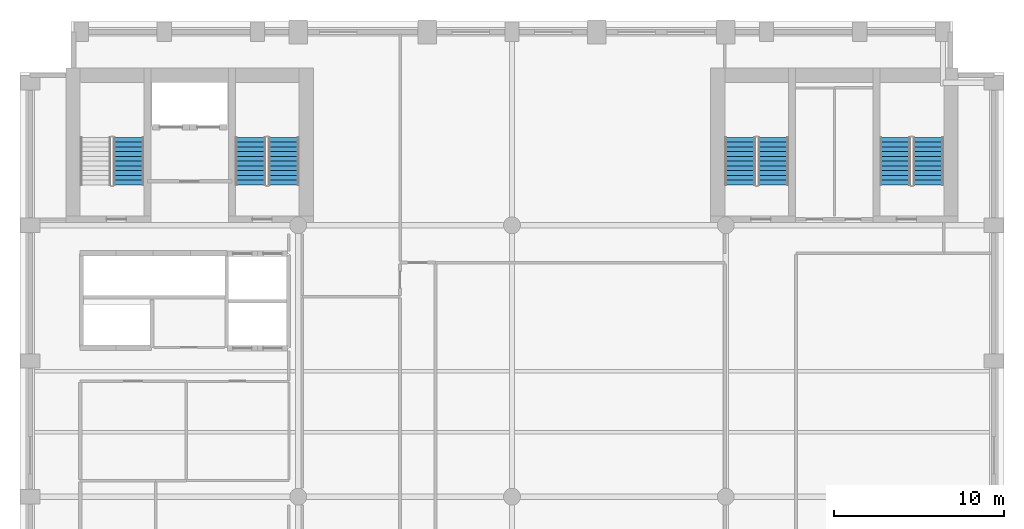
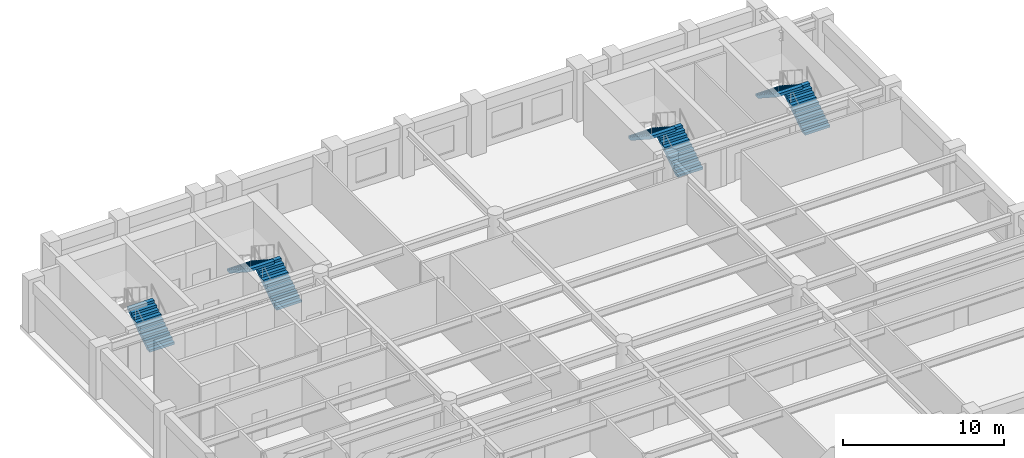
# One storey, part 6 of 8: 7 stair flights, 4 elements without a shape of their own.
"""IFC4 building model written with IfcOpenShell, lengths in metres."""

from ifc_helpers import new_model, si_unit, direction, frame, origin, place, context, subcontext, project, spatial, polyline, outline, extrude, material, type_object, element, aggregate, save


model = new_model("IFC4")

# Units and contexts
model_context = context("Model", 3, precision=1e-05, world=origin(), true_north=direction((0.0, 1.0)))
body_context = subcontext(model_context, "Body", "Model", "MODEL_VIEW")
ifc_project = project(units=[si_unit("LENGTHUNIT", "METRE"), si_unit("AREAUNIT", "SQUARE_METRE"), si_unit("VOLUMEUNIT", "CUBIC_METRE"), si_unit("PLANEANGLEUNIT", "RADIAN"), si_unit("MASSUNIT", "GRAM", prefix="KILO")], contexts=[model_context])

# Site, building, storey
site_placement = place(None, origin())
site = spatial("IfcSite", under=ifc_project, at=site_placement, CompositionType="ELEMENT")
building_placement = place(site_placement, origin())
building = spatial("IfcBuilding", under=site, at=building_placement, Name="Sulina Concourse Tower", CompositionType="ELEMENT")
storey_placement = place(building_placement, frame((0.0, 0.0, 140.60009765625)))
storey = spatial("IfcBuildingStorey", under=building, at=storey_placement, Name="L34", CompositionType="ELEMENT", Elevation=140.60009765625)

# Stair, stair flights
ifc_material_1 = material(Name="Concrete C50/60", Category="concrete")
stair_type_1 = type_object("IfcStairType", Name="Portal & Podium Core Exit Stair 1820mm", PredefinedType="HALF_TURN_STAIR", material=ifc_material_1)
stair_1_placement = place(storey_placement, origin())
stair_1 = element("IfcStair", 1, at=stair_1_placement, inside=storey, type_object=stair_type_1, Name="L34 ST-3", PredefinedType="HALF_TURN_STAIR")
ifc_material_2 = material(Name="Concrete C50/60", Category="concrete")
stair_flight_type_1 = type_object("IfcStairFlightType", Name="Portal & Podium Core Exit Stair 1820mm Flight", PredefinedType="STRAIGHT", material=ifc_material_2)
stair_flight_1_placement = place(storey_placement, frame((44.405029296875, 36.375, 0.0), z_axis=(0.0, 0.0, 1.0), x_axis=(0.0, 1.0, 0.0)))
stair_flight_1 = element("IfcStairFlight", 2, at=stair_flight_1_placement, type_object=stair_flight_type_1, Name="ST-3 flight 1", NumberOfRisers=11, NumberOfTreads=10, PredefinedType="STRAIGHT", RiserHeight=0.181818182, TreadLength=0.28, context=body_context, shape_type="SweptSolid", body=[
    extrude(outline(polyline([(0.0, 0.0), (0.0, 0.181884765625), (0.280029296875, 0.181884765625), (0.280029296875, 0.363525390625), (0.56005859375, 0.363525390625), (0.56005859375, 0.54541015625), (0.840087890625, 0.54541015625), (0.840087890625, 0.727294921875), (1.1201171875, 0.727294921875), (1.1201171875, 0.9091796875), (1.39990234375, 0.9091796875), (1.39990234375, 1.0908203125), (1.679931640625, 1.0908203125), (1.679931640625, 1.272705078125), (1.9599609375, 1.272705078125), (1.9599609375, 1.45458984375), (2.239990234375, 1.45458984375), (2.239990234375, 1.636474609375), (2.52001953125, 1.636474609375), (2.52001953125, 1.818115234375), (2.800048828125, 1.818115234375), (2.800048828125, 2.0), (2.800048828125, 1.603759765625), (0.330322265625, 0.0), (0.0, 0.0)])), frame((0.0, 0.89990234375, 0.0), z_axis=(0.0, -1.0, 0.0), x_axis=(1.0, 0.0, 0.0)), (0.0, 0.0, 1.0), 1.800048828125),
])
stair_flight_2_placement = place(storey_placement, frame((42.455078125, 39.175048828125, 2.0), z_axis=(0.0, 0.0, 1.0), x_axis=(0.0, -1.0, 0.0)))
stair_flight_2 = element("IfcStairFlight", 3, at=stair_flight_2_placement, type_object=stair_flight_type_1, Name="ST-3 flight 2", NumberOfRisers=11, NumberOfTreads=10, PredefinedType="STRAIGHT", RiserHeight=0.181818182, TreadLength=0.28, context=body_context, shape_type="SweptSolid", body=[
    extrude(outline(polyline([(0.0, 0.0), (0.0, 0.181884765625), (0.280029296875, 0.181884765625), (0.280029296875, 0.363525390625), (0.56005859375, 0.363525390625), (0.56005859375, 0.54541015625), (0.840087890625, 0.54541015625), (0.840087890625, 0.727294921875), (1.1201171875, 0.727294921875), (1.1201171875, 0.9091796875), (1.39990234375, 0.9091796875), (1.39990234375, 1.0908203125), (1.679931640625, 1.0908203125), (1.679931640625, 1.272705078125), (1.9599609375, 1.272705078125), (1.9599609375, 1.45458984375), (2.239990234375, 1.45458984375), (2.239990234375, 1.636474609375), (2.52001953125, 1.636474609375), (2.52001953125, 1.818115234375), (2.800048828125, 1.818115234375), (2.800048828125, 2.0), (2.800048828125, 1.603759765625), (0.330322265625, 0.0), (0.0, 0.0)])), frame((0.0, 0.89990234375, 0.0), z_axis=(0.0, -1.0, 0.0), x_axis=(1.0, 0.0, 0.0)), (0.0, 0.0, 1.0), 1.800048828125),
])
aggregate(stair_1, [stair_flight_1, stair_flight_2])

stair_2_placement = place(storey_placement, origin())
stair_2 = element("IfcStair", 4, at=stair_2_placement, inside=storey, type_object=stair_type_1, Name="L34 ST-4", PredefinedType="HALF_TURN_STAIR")
stair_flight_3_placement = place(storey_placement, frame((53.544921875, 36.375, 0.0), z_axis=(0.0, 0.0, 1.0), x_axis=(0.0, 1.0, 0.0)))
stair_flight_3 = element("IfcStairFlight", 5, at=stair_flight_3_placement, type_object=stair_flight_type_1, Name="ST-4 flight 1", NumberOfRisers=11, NumberOfTreads=10, PredefinedType="STRAIGHT", RiserHeight=0.181818182, TreadLength=0.28, context=body_context, shape_type="SweptSolid", body=[
    extrude(outline(polyline([(0.0, 0.0), (0.0, 0.181884765625), (0.280029296875, 0.181884765625), (0.280029296875, 0.363525390625), (0.56005859375, 0.363525390625), (0.56005859375, 0.54541015625), (0.840087890625, 0.54541015625), (0.840087890625, 0.727294921875), (1.1201171875, 0.727294921875), (1.1201171875, 0.9091796875), (1.39990234375, 0.9091796875), (1.39990234375, 1.0908203125), (1.679931640625, 1.0908203125), (1.679931640625, 1.272705078125), (1.9599609375, 1.272705078125), (1.9599609375, 1.45458984375), (2.239990234375, 1.45458984375), (2.239990234375, 1.636474609375), (2.52001953125, 1.636474609375), (2.52001953125, 1.818115234375), (2.800048828125, 1.818115234375), (2.800048828125, 2.0), (2.800048828125, 1.603759765625), (0.330322265625, 0.0), (0.0, 0.0)])), frame((0.0, 0.89990234375, 0.0), z_axis=(0.0, -1.0, 0.0), x_axis=(1.0, 0.0, 0.0)), (0.0, 0.0, 1.0), 1.800048828125),
])
stair_flight_4_placement = place(storey_placement, frame((51.594970703125, 39.175048828125, 2.0), z_axis=(0.0, 0.0, 1.0), x_axis=(0.0, -1.0, 0.0)))
stair_flight_4 = element("IfcStairFlight", 6, at=stair_flight_4_placement, type_object=stair_flight_type_1, Name="ST-4 flight 2", NumberOfRisers=11, NumberOfTreads=10, PredefinedType="STRAIGHT", RiserHeight=0.181818182, TreadLength=0.28, context=body_context, shape_type="SweptSolid", body=[
    extrude(outline(polyline([(0.0, 0.0), (0.0, 0.181884765625), (0.280029296875, 0.181884765625), (0.280029296875, 0.363525390625), (0.56005859375, 0.363525390625), (0.56005859375, 0.54541015625), (0.840087890625, 0.54541015625), (0.840087890625, 0.727294921875), (1.1201171875, 0.727294921875), (1.1201171875, 0.9091796875), (1.39990234375, 0.9091796875), (1.39990234375, 1.0908203125), (1.679931640625, 1.0908203125), (1.679931640625, 1.272705078125), (1.9599609375, 1.272705078125), (1.9599609375, 1.45458984375), (2.239990234375, 1.45458984375), (2.239990234375, 1.636474609375), (2.52001953125, 1.636474609375), (2.52001953125, 1.818115234375), (2.800048828125, 1.818115234375), (2.800048828125, 2.0), (2.800048828125, 1.603759765625), (0.330322265625, 0.0), (0.0, 0.0)])), frame((0.0, 0.89990234375, 0.0), z_axis=(0.0, -1.0, 0.0), x_axis=(1.0, 0.0, 0.0)), (0.0, 0.0, 1.0), 1.800048828125),
])
aggregate(stair_2, [stair_flight_3, stair_flight_4])

# Stair, stair flight
ifc_material_3 = material(Name="Concrete C50/60", Category="concrete")
stair_type_2 = type_object("IfcStairType", Name="Primary Core Dog-Leg Exit Stair 1800mm", PredefinedType="HALF_TURN_STAIR", material=ifc_material_3)
stair_3_placement = place(storey_placement, origin())
stair_3 = element("IfcStair", 7, at=stair_3_placement, inside=storey, type_object=stair_type_2, Name="L34 ST-1", PredefinedType="HALF_TURN_STAIR")
ifc_material_4 = material(Name="Concrete C50/60", Category="concrete")
stair_flight_type_2 = type_object("IfcStairFlightType", Name="Primary Core Dog-Leg Exit Stair 1800mm Flight", PredefinedType="STRAIGHT", material=ifc_material_4)
stair_flight_5_placement = place(storey_placement, frame((6.405029296875, 36.375, 0.0), z_axis=(0.0, 0.0, 1.0), x_axis=(0.0, 1.0, 0.0)))
stair_flight_5 = element("IfcStairFlight", 8, at=stair_flight_5_placement, type_object=stair_flight_type_2, Name="ST-1 flight 1", NumberOfRisers=11, NumberOfTreads=10, PredefinedType="STRAIGHT", RiserHeight=0.181818182, TreadLength=0.28, context=body_context, shape_type="SweptSolid", body=[
    extrude(outline(polyline([(0.0, 0.0), (0.0, 0.181884765625), (0.280029296875, 0.181884765625), (0.280029296875, 0.363525390625), (0.56005859375, 0.363525390625), (0.56005859375, 0.54541015625), (0.840087890625, 0.54541015625), (0.840087890625, 0.727294921875), (1.1201171875, 0.727294921875), (1.1201171875, 0.9091796875), (1.39990234375, 0.9091796875), (1.39990234375, 1.0908203125), (1.679931640625, 1.0908203125), (1.679931640625, 1.272705078125), (1.9599609375, 1.272705078125), (1.9599609375, 1.45458984375), (2.239990234375, 1.45458984375), (2.239990234375, 1.636474609375), (2.52001953125, 1.636474609375), (2.52001953125, 1.818115234375), (2.800048828125, 1.818115234375), (2.800048828125, 2.0), (2.800048828125, 1.603759765625), (0.330322265625, 0.0), (0.0, 0.0)])), frame((0.0, 0.89990234375, 0.0), z_axis=(0.0, -1.0, 0.0), x_axis=(1.0, 0.0, 0.0)), (0.0, 0.0, 1.0), 1.800048828125),
])
aggregate(stair_3, [stair_flight_5])

# Stair, stair flights
stair_4_placement = place(storey_placement, origin())
stair_4 = element("IfcStair", 9, at=stair_4_placement, inside=storey, type_object=stair_type_2, Name="L34 ST-2", PredefinedType="HALF_TURN_STAIR")
stair_flight_6_placement = place(storey_placement, frame((15.544921875, 36.375, 0.0), z_axis=(0.0, 0.0, 1.0), x_axis=(0.0, 1.0, 0.0)))
stair_flight_6 = element("IfcStairFlight", 10, at=stair_flight_6_placement, type_object=stair_flight_type_2, Name="ST-2 flight 1", NumberOfRisers=11, NumberOfTreads=10, PredefinedType="STRAIGHT", RiserHeight=0.181818182, TreadLength=0.28, context=body_context, shape_type="SweptSolid", body=[
    extrude(outline(polyline([(0.0, 0.0), (0.0, 0.181884765625), (0.280029296875, 0.181884765625), (0.280029296875, 0.363525390625), (0.56005859375, 0.363525390625), (0.56005859375, 0.54541015625), (0.840087890625, 0.54541015625), (0.840087890625, 0.727294921875), (1.1201171875, 0.727294921875), (1.1201171875, 0.9091796875), (1.39990234375, 0.9091796875), (1.39990234375, 1.0908203125), (1.679931640625, 1.0908203125), (1.679931640625, 1.272705078125), (1.9599609375, 1.272705078125), (1.9599609375, 1.45458984375), (2.239990234375, 1.45458984375), (2.239990234375, 1.636474609375), (2.52001953125, 1.636474609375), (2.52001953125, 1.818115234375), (2.800048828125, 1.818115234375), (2.800048828125, 2.0), (2.800048828125, 1.603759765625), (0.330322265625, 0.0), (0.0, 0.0)])), frame((0.0, 0.89990234375, 0.0), z_axis=(0.0, -1.0, 0.0), x_axis=(1.0, 0.0, 0.0)), (0.0, 0.0, 1.0), 1.800048828125),
])
stair_flight_7_placement = place(storey_placement, frame((13.594970703125, 39.175048828125, 2.0), z_axis=(0.0, 0.0, 1.0), x_axis=(0.0, -1.0, 0.0)))
stair_flight_7 = element("IfcStairFlight", 11, at=stair_flight_7_placement, type_object=stair_flight_type_2, Name="ST-2 flight 2", NumberOfRisers=11, NumberOfTreads=10, PredefinedType="STRAIGHT", RiserHeight=0.181818182, TreadLength=0.28, context=body_context, shape_type="SweptSolid", body=[
    extrude(outline(polyline([(0.0, 0.0), (0.0, 0.181884765625), (0.280029296875, 0.181884765625), (0.280029296875, 0.363525390625), (0.56005859375, 0.363525390625), (0.56005859375, 0.54541015625), (0.840087890625, 0.54541015625), (0.840087890625, 0.727294921875), (1.1201171875, 0.727294921875), (1.1201171875, 0.9091796875), (1.39990234375, 0.9091796875), (1.39990234375, 1.0908203125), (1.679931640625, 1.0908203125), (1.679931640625, 1.272705078125), (1.9599609375, 1.272705078125), (1.9599609375, 1.45458984375), (2.239990234375, 1.45458984375), (2.239990234375, 1.636474609375), (2.52001953125, 1.636474609375), (2.52001953125, 1.818115234375), (2.800048828125, 1.818115234375), (2.800048828125, 2.0), (2.800048828125, 1.603759765625), (0.330322265625, 0.0), (0.0, 0.0)])), frame((0.0, 0.89990234375, 0.0), z_axis=(0.0, -1.0, 0.0), x_axis=(1.0, 0.0, 0.0)), (0.0, 0.0, 1.0), 1.800048828125),
])
aggregate(stair_4, [stair_flight_6, stair_flight_7])

save(model, "model.ifc")
